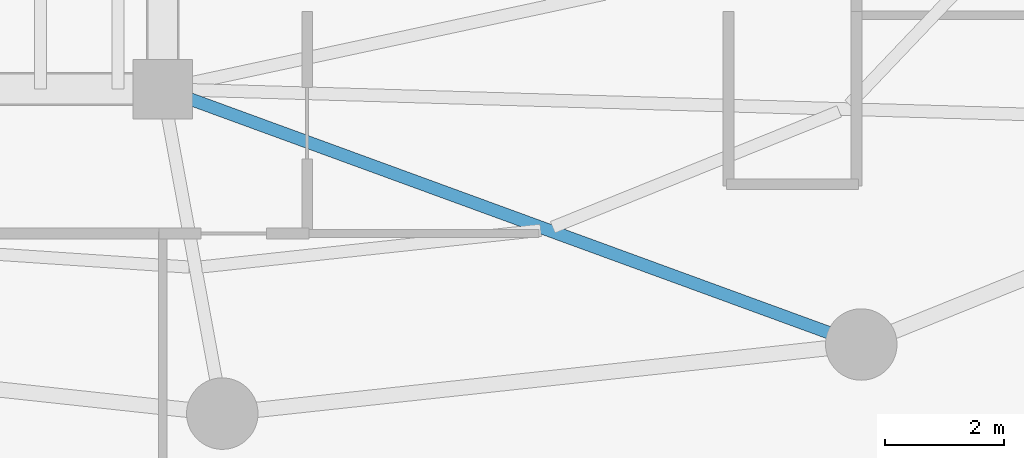
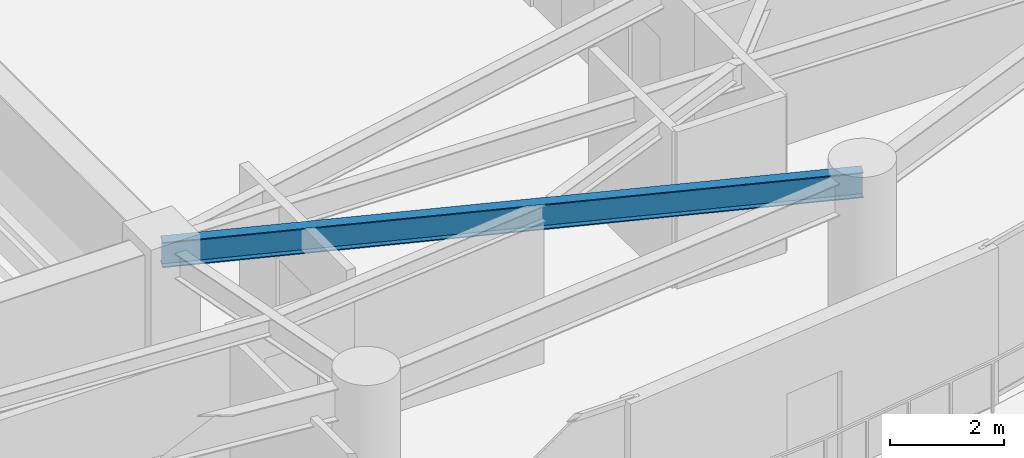
# One storey, part 11 of 34: 1 beam.
"""IFC4 building model written with IfcOpenShell, lengths in metres."""

from ifc_helpers import new_model, si_unit, direction, frame, origin, origin_2d, place, context, subcontext, project, spatial, i_section, extrude, material, material_profile, profile_set, type_object, element, save


model = new_model("IFC4")

# Units and contexts
model_context = context("Model", 3, precision=1e-05, world=origin(), true_north=direction((0.0, 1.0)))
body_context = subcontext(model_context, "Body", "Model", "MODEL_VIEW")
ifc_project = project(units=[si_unit("LENGTHUNIT", "METRE"), si_unit("AREAUNIT", "SQUARE_METRE"), si_unit("VOLUMEUNIT", "CUBIC_METRE"), si_unit("PLANEANGLEUNIT", "RADIAN"), si_unit("MASSUNIT", "GRAM", prefix="KILO")], contexts=[model_context])

# Site, building, storey
site_placement = place(None, origin())
site = spatial("IfcSite", under=ifc_project, at=site_placement, CompositionType="ELEMENT")
building_placement = place(site_placement, origin())
building = spatial("IfcBuilding", under=site, at=building_placement, Name="Kazevale Care Tower and Concert Hall", CompositionType="ELEMENT")
storey_placement = place(building_placement, frame((0.0, 0.0, 167.39990234375)))
storey = spatial("IfcBuildingStorey", under=building, at=storey_placement, Name="L44", CompositionType="ELEMENT", Elevation=167.39990234375)

# Beam
ifc_material = material(Name="Steel ASTM A572 Gr 50", Category="steel")
ifc_material_profile = material_profile(ifc_material, i_section(OverallWidth=0.2119140625, OverallDepth=0.5439453125, WebThickness=0.01318359375, FlangeThickness=0.021240234375, at=origin_2d()), Name="W530x123")
ifc_profile_set = profile_set([ifc_material_profile], Name="Steel ASTM A572 Gr 50")
beam_type = type_object("IfcBeamType", Name="Radial Floor Girder W530x123", PredefinedType="BEAM", material=ifc_profile_set)
beam_placement = place(storey_placement, frame((44.0, 23.60009765625, 3.088134765625), z_axis=(0.939159459123, -0.343481455599, 0.0), x_axis=(0.343481455599, 0.939159459123, 0.0)))
element("IfcBeam", 1, at=beam_placement, inside=storey, type_object=beam_type, Name="beam:L44:rad:14", PredefinedType="BEAM", context=body_context, shape_type="SweptSolid", body=[
    extrude(i_section(OverallWidth=0.2119140625, OverallDepth=0.5439453125, WebThickness=0.01318359375, FlangeThickness=0.021240234375, at=origin_2d()), origin(), (0.0, 0.0, 1.0), 12.489990234375),
])

save(model, "model.ifc")
